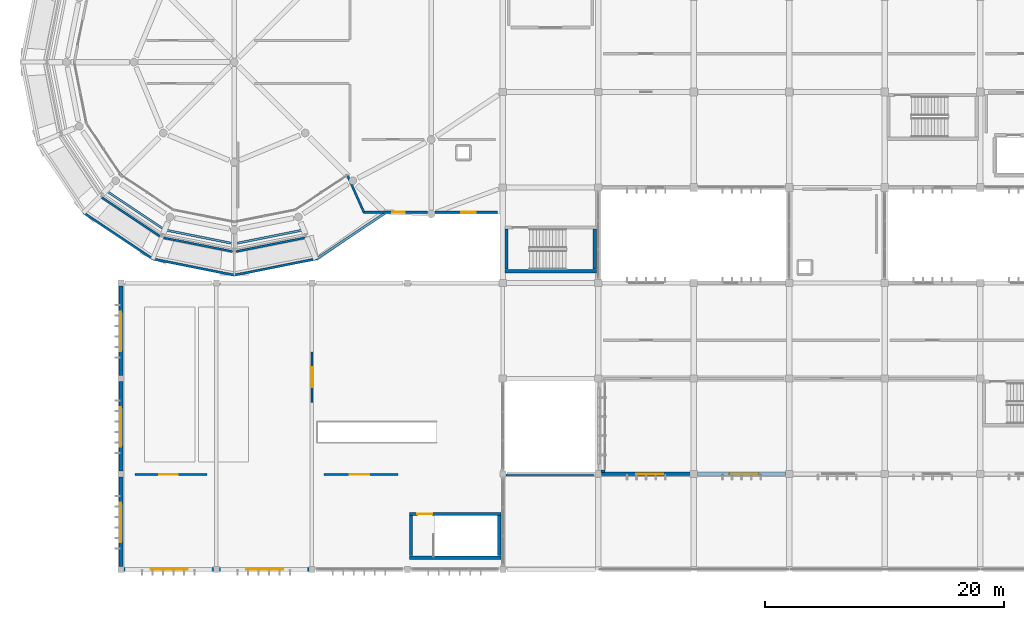
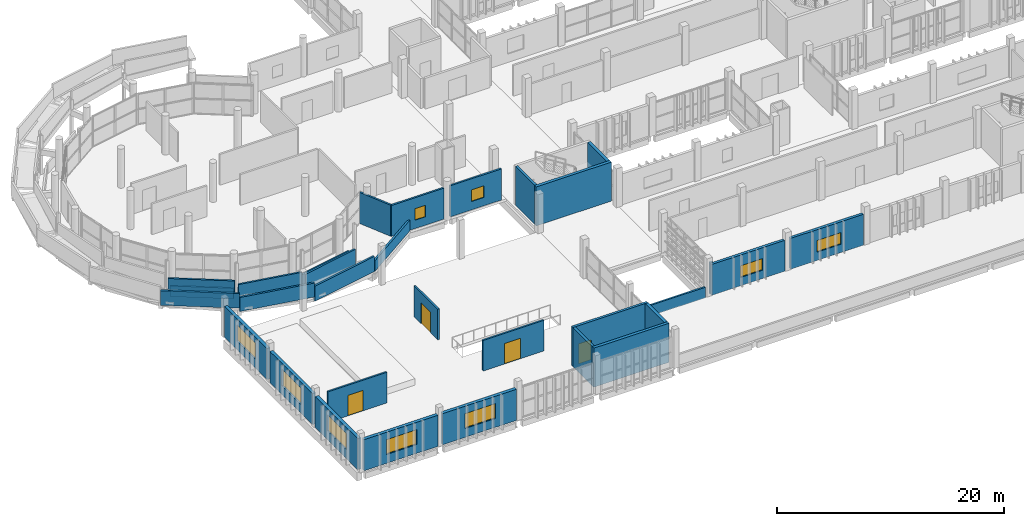
# One storey, part 108 of 137: 32 walls, 9 windows, 4 doors, 13 openings.
"""IFC4 building model written with IfcOpenShell, lengths in metres."""

from ifc_helpers import new_model, si_unit, direction, frame, frame_2d, origin, place, context, subcontext, project, spatial, rectangle, extrude, material, layer, layer_set, type_object, element, fill, save


model = new_model("IFC4")

# Units and contexts
model_context = context("Model", 3, precision=1e-05, world=origin(), true_north=direction((0.0, 1.0)))
body_context = subcontext(model_context, "Body", "Model", "MODEL_VIEW")
ifc_project = project(units=[si_unit("LENGTHUNIT", "METRE"), si_unit("AREAUNIT", "SQUARE_METRE"), si_unit("VOLUMEUNIT", "CUBIC_METRE"), si_unit("PLANEANGLEUNIT", "RADIAN"), si_unit("MASSUNIT", "GRAM", prefix="KILO")], contexts=[model_context])

# Site, building, storey
site_placement = place(None, origin())
site = spatial("IfcSite", under=ifc_project, at=site_placement, CompositionType="ELEMENT")
building_placement = place(site_placement, origin())
building = spatial("IfcBuilding", under=site, at=building_placement, Name="Jelvoka-Kovrelna Polytechnic", CompositionType="ELEMENT")
storey_placement = place(building_placement, frame((0.0, 0.0, 9.60009765625)))
storey = spatial("IfcBuildingStorey", under=building, at=storey_placement, Name="L03", CompositionType="ELEMENT", Elevation=9.60009765625)

# Wall
ifc_material_1 = material(Name="Concrete C40/50", Category="concrete")
ifc_layer_1 = layer(ifc_material_1, 0.25)
ifc_layer_set_1 = layer_set([ifc_layer_1], Name="Concrete C40/50")
wall_type_1 = type_object("IfcWallType", Name="Wall_Core_250", PredefinedType="SOLIDWALL", material=ifc_layer_set_1)
wall_1_placement = place(storey_placement, frame((48.324951171875, 25.14990234375, 0.0), z_axis=(0.0, 0.0, 1.0), x_axis=(0.0, 1.0, 0.0)))
element("IfcWall", 1, at=wall_1_placement, inside=storey, type_object=wall_type_1, Name="L03 interior wall 0028", PredefinedType="SOLIDWALL", context=body_context, shape_type="SweptSolid", body=[
    extrude(rectangle(XDim=3.360107421875, YDim=0.25, at=frame_2d((1.68017578125, 0.0))), origin(), (0.0, 0.0, 1.0), 4.199951171875),
])

# Wall, opening, door
wall_2_placement = place(storey_placement, frame((40.199951171875, 4.639892578125, 0.0), z_axis=(0.0, 0.0, 1.0), x_axis=(1.0, 0.0, 0.0)))
wall_2 = element("IfcWall", 2, at=wall_2_placement, inside=storey, type_object=wall_type_1, Name="L03 interior wall 0047", PredefinedType="SOLIDWALL", context=body_context, shape_type="SweptSolid", body=[
    extrude(rectangle(XDim=7.650146484375, YDim=0.25, at=frame_2d((3.8251953125, 0.0))), origin(), (0.0, 0.0, 1.0), 4.199951171875),
])
opening_1_placement = place(wall_2_placement, frame((0.64990234375, 0.0, 0.0)))
opening_1 = element("IfcOpeningElement", 3, at=opening_1_placement, cuts=wall_2, Name="Opening SD-L03-012", PredefinedType="OPENING", context=body_context, shape_type="SweptSolid", body=[
    extrude(rectangle(XDim=1.25, YDim=2.14990234375, at=frame_2d((0.625, 1.074951171875))), frame((0.0, 0.135009765625, 0.0), z_axis=(0.0, -1.0, 0.0), x_axis=(1.0, 0.0, 0.0)), (0.0, 0.0, 1.0), 0.27001953125),
])
ifc_material_2 = material(Name="Powder-coated steel fire door", Category="steel")
door_type_1 = type_object("IfcDoorType", Name="Door_Fire_FD02", OperationType="NOTDEFINED", PredefinedType="DOOR", material=ifc_material_2)
door_1_placement = place(opening_1_placement, origin())
door_1 = element("IfcDoor", 4, at=door_1_placement, inside=storey, type_object=door_type_1, Name="L03 interior door SD-L03-012", OperationType="SINGLE_SWING_LEFT", OverallHeight=2.14990234375, OverallWidth=1.25, PredefinedType="DOOR", context=body_context, shape_type="SweptSolid", body=[
    extrude(rectangle(XDim=1.25, YDim=2.14990234375, at=frame_2d((0.625, 1.074951171875))), frame((0.0, 0.02490234375, 0.0), z_axis=(0.0, -1.0, 0.0), x_axis=(1.0, 0.0, 0.0)), (0.0, 0.0, 1.0), 0.050048828125),
])
fill(opening_1, door_1)

# Wall
wall_3_placement = place(storey_placement, frame((40.324951171875, 1.14990234375, 0.0), z_axis=(0.0, 0.0, 1.0), x_axis=(0.0, 1.0, 0.0)))
element("IfcWall", 5, at=wall_3_placement, inside=storey, type_object=wall_type_1, Name="L03 interior wall 0048", PredefinedType="SOLIDWALL", context=body_context, shape_type="SweptSolid", body=[
    extrude(rectangle(XDim=3.360107421875, YDim=0.25, at=frame_2d((1.68017578125, 0.0))), origin(), (0.0, 0.0, 1.0), 4.199951171875),
])

# Wall, opening, door
ifc_material_3 = material(Name="Autoclaved aerated concrete blockwork", Category="masonry")
ifc_layer_2 = layer(ifc_material_3, 0.179931640625)
ifc_layer_set_2 = layer_set([ifc_layer_2], Name="Autoclaved aerated concrete blockwork")
wall_type_2 = type_object("IfcWallType", Name="Wall_Corridor_180", PredefinedType="PARTITIONING", material=ifc_layer_set_2)
wall_4_placement = place(storey_placement, frame((32.0, 14.0, 0.0), z_axis=(0.0, 0.0, 1.0), x_axis=(0.0, 1.0, 0.0)))
wall_4 = element("IfcWall", 6, at=wall_4_placement, inside=storey, type_object=wall_type_2, Name="L03 interior wall 1097", PredefinedType="PARTITIONING", context=body_context, shape_type="SweptSolid", body=[
    extrude(rectangle(XDim=4.199951171875, YDim=0.179931640625, at=frame_2d((2.10009765625, 0.0))), origin(), (0.0, 0.0, 1.0), 3.2998046875),
])
opening_2_placement = place(wall_4_placement, frame((1.27001953125, 0.0, 0.0)))
opening_2 = element("IfcOpeningElement", 7, at=opening_2_placement, cuts=wall_4, Name="Opening D-L03-319", PredefinedType="OPENING", context=body_context, shape_type="SweptSolid", body=[
    extrude(rectangle(XDim=1.659912109375, YDim=2.219970703125, at=frame_2d((0.830078125, 1.10986328125))), frame((0.0, 0.099853515625, 0.0), z_axis=(0.0, -1.0, 0.0), x_axis=(1.0, 0.0, 0.0)), (0.0, 0.0, 1.0), 0.199951171875),
])
ifc_material_4 = material(Name="Paired acoustic fire-resisting lecture door", Category="wood")
door_type_2 = type_object("IfcDoorType", Name="Door_Fire_FD30_08", OperationType="NOTDEFINED", PredefinedType="DOOR", material=ifc_material_4)
door_2_placement = place(opening_2_placement, origin())
door_2 = element("IfcDoor", 8, at=door_2_placement, inside=storey, type_object=door_type_2, Name="L03 interior door D-L03-319", OperationType="DOUBLE_DOOR_SINGLE_SWING", OverallHeight=2.219970703125, OverallWidth=1.659912109375, PredefinedType="DOOR", context=body_context, shape_type="SweptSolid", body=[
    extrude(rectangle(XDim=1.659912109375, YDim=2.219970703125, at=frame_2d((0.830078125, 1.10986328125))), frame((0.0, 0.02490234375, 0.0), z_axis=(0.0, -1.0, 0.0), x_axis=(1.0, 0.0, 0.0)), (0.0, 0.0, 1.0), 0.050048828125),
])
fill(opening_2, door_2)

wall_5_placement = place(storey_placement, frame((17.199951171875, 7.949951171875, 0.0), z_axis=(0.0, 0.0, 1.0), x_axis=(1.0, 0.0, 0.0)))
wall_5 = element("IfcWall", 9, at=wall_5_placement, inside=storey, type_object=wall_type_2, Name="L03 interior wall 1098", PredefinedType="PARTITIONING", context=body_context, shape_type="SweptSolid", body=[
    extrude(rectangle(XDim=6.0, YDim=0.179931640625, at=frame_2d((3.0, 0.0))), origin(), (0.0, 0.0, 1.0), 3.2998046875),
])
opening_3_placement = place(wall_5_placement, frame((2.02001953125, 0.0, 0.0)))
opening_3 = element("IfcOpeningElement", 10, at=opening_3_placement, cuts=wall_5, Name="Opening D-L03-320", PredefinedType="OPENING", context=body_context, shape_type="SweptSolid", body=[
    extrude(rectangle(XDim=1.56005859375, YDim=2.199951171875, at=frame_2d((0.780029296875, 1.10009765625))), frame((0.0, 0.099853515625, 0.0), z_axis=(0.0, -1.0, 0.0), x_axis=(1.0, 0.0, 0.0)), (0.0, 0.0, 1.0), 0.199951171875),
])
ifc_material_5 = material(Name="Paired studio double door", Category="wood")
door_type_3 = type_object("IfcDoorType", Name="Door_Int_D18", OperationType="NOTDEFINED", PredefinedType="DOOR", material=ifc_material_5)
door_3_placement = place(opening_3_placement, origin())
door_3 = element("IfcDoor", 11, at=door_3_placement, inside=storey, type_object=door_type_3, Name="L03 interior door D-L03-320", OperationType="DOUBLE_DOOR_SINGLE_SWING", OverallHeight=2.199951171875, OverallWidth=1.56005859375, PredefinedType="DOOR", context=body_context, shape_type="SweptSolid", body=[
    extrude(rectangle(XDim=1.56005859375, YDim=2.199951171875, at=frame_2d((0.780029296875, 1.10009765625))), frame((0.0, 0.02490234375, 0.0), z_axis=(0.0, -1.0, 0.0), x_axis=(1.0, 0.0, 0.0)), (0.0, 0.0, 1.0), 0.050048828125),
])
fill(opening_3, door_3)

wall_6_placement = place(storey_placement, frame((33.0, 7.949951171875, 0.0), z_axis=(0.0, 0.0, 1.0), x_axis=(1.0, 0.0, 0.0)))
wall_6 = element("IfcWall", 12, at=wall_6_placement, inside=storey, type_object=wall_type_2, Name="L03 interior wall 1099", PredefinedType="PARTITIONING", context=body_context, shape_type="SweptSolid", body=[
    extrude(rectangle(XDim=6.199951171875, YDim=0.179931640625, at=frame_2d((3.10009765625, 0.0))), origin(), (0.0, 0.0, 1.0), 3.2998046875),
])
opening_4_placement = place(wall_6_placement, frame((2.18994140625, 0.0, 0.0)))
opening_4 = element("IfcOpeningElement", 13, at=opening_4_placement, cuts=wall_6, Name="Opening D-L03-321", PredefinedType="OPENING", context=body_context, shape_type="SweptSolid", body=[
    extrude(rectangle(XDim=1.6201171875, YDim=2.199951171875, at=frame_2d((0.81005859375, 1.10009765625))), frame((0.0, 0.099853515625, 0.0), z_axis=(0.0, -1.0, 0.0), x_axis=(1.0, 0.0, 0.0)), (0.0, 0.0, 1.0), 0.199951171875),
])
ifc_material_6 = material(Name="Paired library reading hall door", Category="wood")
door_type_4 = type_object("IfcDoorType", Name="Door_Int_D19", OperationType="NOTDEFINED", PredefinedType="DOOR", material=ifc_material_6)
door_4_placement = place(opening_4_placement, origin())
door_4 = element("IfcDoor", 14, at=door_4_placement, inside=storey, type_object=door_type_4, Name="L03 interior door D-L03-321", OperationType="DOUBLE_DOOR_SINGLE_SWING", OverallHeight=2.199951171875, OverallWidth=1.6201171875, PredefinedType="DOOR", context=body_context, shape_type="SweptSolid", body=[
    extrude(rectangle(XDim=1.6201171875, YDim=2.199951171875, at=frame_2d((0.81005859375, 1.10009765625))), frame((0.0, 0.02490234375, 0.0), z_axis=(0.0, -1.0, 0.0), x_axis=(1.0, 0.0, 0.0)), (0.0, 0.0, 1.0), 0.050048828125),
])
fill(opening_4, door_4)

# Wall, opening, window
ifc_material_7 = material(Name="Precast concrete C40/50", Category="concrete")
ifc_layer_3 = layer(ifc_material_7, 0.324951171875)
ifc_layer_set_3 = layer_set([ifc_layer_3], Name="Precast concrete C40/50")
wall_type_3 = type_object("IfcWallType", Name="Wall_Ext_Acoustic_325", PredefinedType="STANDARD", material=ifc_layer_set_3)
wall_7_placement = place(storey_placement, frame((23.7529296875, 0.0, 0.0), z_axis=(0.0, 0.0, 1.0), x_axis=(-1.0, 0.0, 0.0)))
wall_7 = element("IfcWall", 15, at=wall_7_placement, inside=storey, type_object=wall_type_3, Name="L03 exterior wall 1141", PredefinedType="STANDARD", context=body_context, shape_type="SweptSolid", body=[
    extrude(rectangle(XDim=7.505859375, YDim=0.324951171875, at=frame_2d((3.7529296875, 0.0))), origin(), (0.0, 0.0, 1.0), 3.349853515625),
])
opening_5_placement = place(wall_7_placement, frame((2.133056640625, 0.0, 0.949951171875)))
opening_5 = element("IfcOpeningElement", 16, at=opening_5_placement, cuts=wall_7, Name="Opening W-L03-577", PredefinedType="OPENING", context=body_context, shape_type="SweptSolid", body=[
    extrude(rectangle(XDim=3.10009765625, YDim=1.60009765625, at=frame_2d((1.550048828125, 0.800048828125))), frame((0.0, 0.172607421875, 0.0), z_axis=(0.0, -1.0, 0.0), x_axis=(1.0, 0.0, 0.0)), (0.0, 0.0, 1.0), 0.344970703125),
])
ifc_material_8 = material(Name="Thermally broken anodised aluminium and low-e glazing", Category="aluminium")
window_type_1 = type_object("IfcWindowType", Name="Win_Casement_W61", PartitioningType="DOUBLE_PANEL_VERTICAL", PredefinedType="WINDOW", material=ifc_material_8)
window_1_placement = place(opening_5_placement, origin())
window_1 = element("IfcWindow", 17, at=window_1_placement, inside=storey, type_object=window_type_1, Name="L03 aluminium casement window W-L03-577", OverallHeight=1.60009765625, OverallWidth=3.10009765625, PartitioningType="DOUBLE_PANEL_VERTICAL", PredefinedType="WINDOW", context=body_context, shape_type="SweptSolid", body=[
    extrude(rectangle(XDim=3.10009765625, YDim=1.60009765625, at=frame_2d((1.550048828125, 0.800048828125))), frame((0.0, 0.030029296875, 0.0), z_axis=(0.0, -1.0, 0.0), x_axis=(1.0, 0.0, 0.0)), (0.0, 0.0, 1.0), 0.06005859375),
])
fill(opening_5, window_1)

wall_8_placement = place(storey_placement, frame((31.7529296875, 0.0, 0.0), z_axis=(0.0, 0.0, 1.0), x_axis=(-1.0, 0.0, 0.0)))
wall_8 = element("IfcWall", 18, at=wall_8_placement, inside=storey, type_object=wall_type_3, Name="L03 exterior wall 1142", PredefinedType="STANDARD", context=body_context, shape_type="SweptSolid", body=[
    extrude(rectangle(XDim=7.505859375, YDim=0.324951171875, at=frame_2d((3.7529296875, 0.0))), origin(), (0.0, 0.0, 1.0), 3.349853515625),
])
opening_6_placement = place(wall_8_placement, frame((2.133056640625, 0.0, 0.949951171875)))
opening_6 = element("IfcOpeningElement", 19, at=opening_6_placement, cuts=wall_8, Name="Opening W-L03-578", PredefinedType="OPENING", context=body_context, shape_type="SweptSolid", body=[
    extrude(rectangle(XDim=3.10009765625, YDim=1.60009765625, at=frame_2d((1.550048828125, 0.800048828125))), frame((0.0, 0.172607421875, 0.0), z_axis=(0.0, -1.0, 0.0), x_axis=(1.0, 0.0, 0.0)), (0.0, 0.0, 1.0), 0.344970703125),
])
window_2_placement = place(opening_6_placement, origin())
window_2 = element("IfcWindow", 20, at=window_2_placement, inside=storey, type_object=window_type_1, Name="L03 aluminium casement window W-L03-578", OverallHeight=1.60009765625, OverallWidth=3.10009765625, PartitioningType="DOUBLE_PANEL_VERTICAL", PredefinedType="WINDOW", context=body_context, shape_type="SweptSolid", body=[
    extrude(rectangle(XDim=3.10009765625, YDim=1.60009765625, at=frame_2d((1.550048828125, 0.800048828125))), frame((0.0, 0.030029296875, 0.0), z_axis=(0.0, -1.0, 0.0), x_axis=(1.0, 0.0, 0.0)), (0.0, 0.0, 1.0), 0.06005859375),
])
fill(opening_6, window_2)

wall_9_placement = place(storey_placement, frame((16.0, 0.2470703125, 0.0), z_axis=(0.0, 0.0, 1.0), x_axis=(0.0, 1.0, 0.0)))
wall_9 = element("IfcWall", 21, at=wall_9_placement, inside=storey, type_object=wall_type_3, Name="L03 exterior wall 1143", PredefinedType="STANDARD", context=body_context, shape_type="SweptSolid", body=[
    extrude(rectangle(XDim=7.505859375, YDim=0.324951171875, at=frame_2d((3.7529296875, 0.0))), origin(), (0.0, 0.0, 1.0), 3.349853515625),
])
opening_7_placement = place(wall_9_placement, frame((2.032958984375, 0.0, 0.949951171875)))
opening_7 = element("IfcOpeningElement", 22, at=opening_7_placement, cuts=wall_9, Name="Opening W-L03-579", PredefinedType="OPENING", context=body_context, shape_type="SweptSolid", body=[
    extrude(rectangle(XDim=3.300048828125, YDim=1.75, at=frame_2d((1.64990234375, 0.875))), frame((0.0, 0.172607421875, 0.0), z_axis=(0.0, -1.0, 0.0), x_axis=(1.0, 0.0, 0.0)), (0.0, 0.0, 1.0), 0.344970703125),
])
ifc_material_9 = material(Name="Thermally broken anodised aluminium and low-e glazing", Category="aluminium")
window_type_2 = type_object("IfcWindowType", Name="Win_Casement_W62", PartitioningType="DOUBLE_PANEL_VERTICAL", PredefinedType="WINDOW", material=ifc_material_9)
window_3_placement = place(opening_7_placement, origin())
window_3 = element("IfcWindow", 23, at=window_3_placement, inside=storey, type_object=window_type_2, Name="L03 aluminium casement window W-L03-579", OverallHeight=1.75, OverallWidth=3.300048828125, PartitioningType="DOUBLE_PANEL_VERTICAL", PredefinedType="WINDOW", context=body_context, shape_type="SweptSolid", body=[
    extrude(rectangle(XDim=3.300048828125, YDim=1.75, at=frame_2d((1.64990234375, 0.875))), frame((0.0, 0.030029296875, 0.0), z_axis=(0.0, -1.0, 0.0), x_axis=(1.0, 0.0, 0.0)), (0.0, 0.0, 1.0), 0.06005859375),
])
fill(opening_7, window_3)

wall_10_placement = place(storey_placement, frame((16.0, 8.2470703125, 0.0), z_axis=(0.0, 0.0, 1.0), x_axis=(0.0, 1.0, 0.0)))
wall_10 = element("IfcWall", 24, at=wall_10_placement, inside=storey, type_object=wall_type_3, Name="L03 exterior wall 1144", PredefinedType="STANDARD", context=body_context, shape_type="SweptSolid", body=[
    extrude(rectangle(XDim=7.505859375, YDim=0.324951171875, at=frame_2d((3.7529296875, 0.0))), origin(), (0.0, 0.0, 1.0), 3.349853515625),
])
opening_8_placement = place(wall_10_placement, frame((2.032958984375, 0.0, 0.949951171875)))
opening_8 = element("IfcOpeningElement", 25, at=opening_8_placement, cuts=wall_10, Name="Opening W-L03-580", PredefinedType="OPENING", context=body_context, shape_type="SweptSolid", body=[
    extrude(rectangle(XDim=3.300048828125, YDim=1.75, at=frame_2d((1.64990234375, 0.875))), frame((0.0, 0.172607421875, 0.0), z_axis=(0.0, -1.0, 0.0), x_axis=(1.0, 0.0, 0.0)), (0.0, 0.0, 1.0), 0.344970703125),
])
window_4_placement = place(opening_8_placement, origin())
window_4 = element("IfcWindow", 26, at=window_4_placement, inside=storey, type_object=window_type_2, Name="L03 aluminium casement window W-L03-580", OverallHeight=1.75, OverallWidth=3.300048828125, PartitioningType="DOUBLE_PANEL_VERTICAL", PredefinedType="WINDOW", context=body_context, shape_type="SweptSolid", body=[
    extrude(rectangle(XDim=3.300048828125, YDim=1.75, at=frame_2d((1.64990234375, 0.875))), frame((0.0, 0.030029296875, 0.0), z_axis=(0.0, -1.0, 0.0), x_axis=(1.0, 0.0, 0.0)), (0.0, 0.0, 1.0), 0.06005859375),
])
fill(opening_8, window_4)

wall_11_placement = place(storey_placement, frame((16.0, 16.2470703125, 0.0), z_axis=(0.0, 0.0, 1.0), x_axis=(0.0, 1.0, 0.0)))
wall_11 = element("IfcWall", 27, at=wall_11_placement, inside=storey, type_object=wall_type_3, Name="L03 exterior wall 1145", PredefinedType="STANDARD", context=body_context, shape_type="SweptSolid", body=[
    extrude(rectangle(XDim=7.505859375, YDim=0.324951171875, at=frame_2d((3.7529296875, 0.0))), origin(), (0.0, 0.0, 1.0), 3.349853515625),
])
opening_9_placement = place(wall_11_placement, frame((2.032958984375, 0.0, 0.949951171875)))
opening_9 = element("IfcOpeningElement", 28, at=opening_9_placement, cuts=wall_11, Name="Opening W-L03-581", PredefinedType="OPENING", context=body_context, shape_type="SweptSolid", body=[
    extrude(rectangle(XDim=3.300048828125, YDim=1.75, at=frame_2d((1.64990234375, 0.875))), frame((0.0, 0.172607421875, 0.0), z_axis=(0.0, -1.0, 0.0), x_axis=(1.0, 0.0, 0.0)), (0.0, 0.0, 1.0), 0.344970703125),
])
window_5_placement = place(opening_9_placement, origin())
window_5 = element("IfcWindow", 29, at=window_5_placement, inside=storey, type_object=window_type_2, Name="L03 aluminium casement window W-L03-581", OverallHeight=1.75, OverallWidth=3.300048828125, PartitioningType="DOUBLE_PANEL_VERTICAL", PredefinedType="WINDOW", context=body_context, shape_type="SweptSolid", body=[
    extrude(rectangle(XDim=3.300048828125, YDim=1.75, at=frame_2d((1.64990234375, 0.875))), frame((0.0, 0.030029296875, 0.0), z_axis=(0.0, -1.0, 0.0), x_axis=(1.0, 0.0, 0.0)), (0.0, 0.0, 1.0), 0.06005859375),
])
fill(opening_9, window_5)

# Wall
ifc_material_10 = material(Name="Precast concrete C40/50", Category="concrete")
ifc_layer_4 = layer(ifc_material_10, 0.18505859375)
ifc_layer_set_4 = layer_set([ifc_layer_4], Name="Precast concrete C40/50")
wall_type_4 = type_object("IfcWallType", Name="Wall_Ext_White_260", PredefinedType="STANDARD", material=ifc_layer_set_4)
wall_12_placement = place(storey_placement, frame((36.360107421875, 29.922119140625, 0.0), z_axis=(0.0, 0.0, 1.0), x_axis=(-0.40761125598, 0.913155553013, 0.0)))
element("IfcWall", 30, at=wall_12_placement, inside=storey, type_object=wall_type_4, Name="L03 exterior wall 0998", PredefinedType="STANDARD", context=body_context, shape_type="SweptSolid", body=[
    extrude(rectangle(XDim=3.39794921875, YDim=0.18505859375, at=frame_2d((1.698974609375, 0.0))), origin(), (0.0, 0.0, 1.0), 3.349853515625),
])

# Wall, opening, window
wall_13_placement = place(storey_placement, frame((41.677978515625, 29.922119140625, 0.0), z_axis=(0.0, 0.0, 1.0), x_axis=(-1.0, 0.0, 0.0)))
wall_13 = element("IfcWall", 31, at=wall_13_placement, inside=storey, type_object=wall_type_4, Name="L03 exterior wall 0999", PredefinedType="STANDARD", context=body_context, shape_type="SweptSolid", body=[
    extrude(rectangle(XDim=5.337890625, YDim=0.18505859375, at=frame_2d((2.6689453125, 0.0))), origin(), (0.0, 0.0, 1.0), 3.324951171875),
])
opening_10_placement = place(wall_13_placement, frame((1.8779296875, 0.0, 0.89990234375)))
opening_10 = element("IfcOpeningElement", 32, at=opening_10_placement, cuts=wall_13, Name="Opening W-L03-549", PredefinedType="OPENING", context=body_context, shape_type="SweptSolid", body=[
    extrude(rectangle(XDim=1.050048828125, YDim=1.25, at=frame_2d((0.52490234375, 0.625))), frame((0.0, 0.1025390625, 0.0), z_axis=(0.0, -1.0, 0.0), x_axis=(1.0, 0.0, 0.0)), (0.0, 0.0, 1.0), 0.205078125),
])
ifc_material_11 = material(Name="Thermally broken anodised aluminium and low-e glazing", Category="aluminium")
window_type_3 = type_object("IfcWindowType", Name="Win_Casement_W01", PartitioningType="SINGLE_PANEL", PredefinedType="WINDOW", material=ifc_material_11)
window_6_placement = place(opening_10_placement, origin())
window_6 = element("IfcWindow", 33, at=window_6_placement, inside=storey, type_object=window_type_3, Name="L03 aluminium casement window W-L03-549", OverallHeight=1.25, OverallWidth=1.050048828125, PartitioningType="SINGLE_PANEL", PredefinedType="WINDOW", context=body_context, shape_type="SweptSolid", body=[
    extrude(rectangle(XDim=1.050048828125, YDim=1.25, at=frame_2d((0.52490234375, 0.625))), frame((0.0, 0.030029296875, 0.0), z_axis=(0.0, -1.0, 0.0), x_axis=(1.0, 0.0, 0.0)), (0.0, 0.0, 1.0), 0.06005859375),
])
fill(opening_10, window_6)

wall_14_placement = place(storey_placement, frame((47.550048828125, 29.922119140625, 0.0), z_axis=(0.0, 0.0, 1.0), x_axis=(-1.0, 0.0, 0.0)))
wall_14 = element("IfcWall", 34, at=wall_14_placement, inside=storey, type_object=wall_type_4, Name="L03 exterior wall 1000", PredefinedType="STANDARD", context=body_context, shape_type="SweptSolid", body=[
    extrude(rectangle(XDim=5.22802734375, YDim=0.18505859375, at=frame_2d((2.614013671875, 0.0))), origin(), (0.0, 0.0, 1.0), 3.349853515625),
])
opening_11_placement = place(wall_14_placement, frame((1.800048828125, 0.0, 0.89990234375)))
opening_11 = element("IfcOpeningElement", 35, at=opening_11_placement, cuts=wall_14, Name="Opening W-L03-550", PredefinedType="OPENING", context=body_context, shape_type="SweptSolid", body=[
    extrude(rectangle(XDim=1.25, YDim=1.25, at=frame_2d((0.625, 0.625))), frame((0.0, 0.1025390625, 0.0), z_axis=(0.0, -1.0, 0.0), x_axis=(1.0, 0.0, 0.0)), (0.0, 0.0, 1.0), 0.205078125),
])
ifc_material_12 = material(Name="Thermally broken anodised aluminium and low-e glazing", Category="aluminium")
window_type_4 = type_object("IfcWindowType", Name="Win_Casement_W02", PartitioningType="SINGLE_PANEL", PredefinedType="WINDOW", material=ifc_material_12)
window_7_placement = place(opening_11_placement, origin())
window_7 = element("IfcWindow", 36, at=window_7_placement, inside=storey, type_object=window_type_4, Name="L03 aluminium casement window W-L03-550", OverallHeight=1.25, OverallWidth=1.25, PartitioningType="SINGLE_PANEL", PredefinedType="WINDOW", context=body_context, shape_type="SweptSolid", body=[
    extrude(rectangle(XDim=1.25, YDim=1.25, at=frame_2d((0.625, 0.625))), frame((0.0, 0.030029296875, 0.0), z_axis=(0.0, -1.0, 0.0), x_axis=(1.0, 0.0, 0.0)), (0.0, 0.0, 1.0), 0.06005859375),
])
fill(opening_11, window_7)

ifc_material_13 = material(Name="Precast concrete C40/50", Category="concrete")
ifc_layer_5 = layer(ifc_material_13, 0.280029296875)
ifc_layer_set_5 = layer_set([ifc_layer_5], Name="Precast concrete C40/50")
wall_type_5 = type_object("IfcWallType", Name="Wall_Ext_White_280", PredefinedType="STANDARD", material=ifc_layer_set_5)
wall_15_placement = place(storey_placement, frame((63.702880859375, 8.0, 0.0), z_axis=(0.0, 0.0, 1.0), x_axis=(-1.0, 0.0, 0.0)))
wall_15 = element("IfcWall", 37, at=wall_15_placement, inside=storey, type_object=wall_type_5, Name="L03 exterior wall 0282", PredefinedType="STANDARD", context=body_context, shape_type="SweptSolid", body=[
    extrude(rectangle(XDim=7.430908203125, YDim=0.280029296875, at=frame_2d((3.71533203125, 0.0))), origin(), (0.0, 0.0, 1.0), 3.324951171875),
])
opening_12_placement = place(wall_15_placement, frame((2.282958984375, 0.0, 0.89990234375)))
opening_12 = element("IfcOpeningElement", 38, at=opening_12_placement, cuts=wall_15, Name="Opening W-L03-044", PredefinedType="OPENING", context=body_context, shape_type="SweptSolid", body=[
    extrude(rectangle(XDim=2.25, YDim=1.25, at=frame_2d((1.125, 0.625))), frame((0.0, 0.150146484375, 0.0), z_axis=(0.0, -1.0, 0.0), x_axis=(1.0, 0.0, 0.0)), (0.0, 0.0, 1.0), 0.300048828125),
])
ifc_material_14 = material(Name="Thermally broken anodised aluminium and low-e glazing", Category="aluminium")
window_type_5 = type_object("IfcWindowType", Name="Win_Casement_W07", PartitioningType="DOUBLE_PANEL_VERTICAL", PredefinedType="WINDOW", material=ifc_material_14)
window_8_placement = place(opening_12_placement, origin())
window_8 = element("IfcWindow", 39, at=window_8_placement, inside=storey, type_object=window_type_5, Name="L03 aluminium casement window W-L03-044", OverallHeight=1.25, OverallWidth=2.25, PartitioningType="DOUBLE_PANEL_VERTICAL", PredefinedType="WINDOW", context=body_context, shape_type="SweptSolid", body=[
    extrude(rectangle(XDim=2.25, YDim=1.25, at=frame_2d((1.125, 0.625))), frame((0.0, 0.030029296875, 0.0), z_axis=(0.0, -1.0, 0.0), x_axis=(1.0, 0.0, 0.0)), (0.0, 0.0, 1.0), 0.06005859375),
])
fill(opening_12, window_8)

wall_16_placement = place(storey_placement, frame((71.702880859375, 8.0, 0.0), z_axis=(0.0, 0.0, 1.0), x_axis=(-1.0, 0.0, 0.0)))
wall_16 = element("IfcWall", 40, at=wall_16_placement, inside=storey, type_object=wall_type_5, Name="L03 exterior wall 0284", PredefinedType="STANDARD", context=body_context, shape_type="SweptSolid", body=[
    extrude(rectangle(XDim=7.40576171875, YDim=0.280029296875, at=frame_2d((3.702880859375, 0.0))), origin(), (0.0, 0.0, 1.0), 3.324951171875),
])
opening_13_placement = place(wall_16_placement, frame((2.282958984375, 0.0, 0.89990234375)))
opening_13 = element("IfcOpeningElement", 41, at=opening_13_placement, cuts=wall_16, Name="Opening W-L03-046", PredefinedType="OPENING", context=body_context, shape_type="SweptSolid", body=[
    extrude(rectangle(XDim=2.449951171875, YDim=1.25, at=frame_2d((1.22509765625, 0.625))), frame((0.0, 0.150146484375, 0.0), z_axis=(0.0, -1.0, 0.0), x_axis=(1.0, 0.0, 0.0)), (0.0, 0.0, 1.0), 0.300048828125),
])
ifc_material_15 = material(Name="Thermally broken anodised aluminium and low-e glazing", Category="aluminium")
window_type_6 = type_object("IfcWindowType", Name="Win_Casement_W08", PartitioningType="DOUBLE_PANEL_VERTICAL", PredefinedType="WINDOW", material=ifc_material_15)
window_9_placement = place(opening_13_placement, origin())
window_9 = element("IfcWindow", 42, at=window_9_placement, inside=storey, type_object=window_type_6, Name="L03 aluminium casement window W-L03-046", OverallHeight=1.25, OverallWidth=2.449951171875, PartitioningType="DOUBLE_PANEL_VERTICAL", PredefinedType="WINDOW", context=body_context, shape_type="SweptSolid", body=[
    extrude(rectangle(XDim=2.449951171875, YDim=1.25, at=frame_2d((1.22509765625, 0.625))), frame((0.0, 0.030029296875, 0.0), z_axis=(0.0, -1.0, 0.0), x_axis=(1.0, 0.0, 0.0)), (0.0, 0.0, 1.0), 0.06005859375),
])
fill(opening_13, window_9)

# Walls
ifc_material_16 = material(Name="Precast concrete C40/50", Category="concrete")
ifc_layer_6 = layer(ifc_material_16, 0.179931640625)
ifc_layer_set_6 = layer_set([ifc_layer_6], Name="Precast concrete C40/50")
wall_type_6 = type_object("IfcWallType", Name="Wall_Parapet_180", PredefinedType="PARAPET", material=ifc_layer_set_6)
for number, where, z_axis, x_axis, name in (
    (43, (14.870849609375, 31.64892578125, 0.0), (0.0, 0.0, 1.0), (0.831481620435, -0.555552261158, 0.0), "L03 exterior wall 0991"),
    (44, (19.83251953125, 28.407470703125, 0.0), (0.0, 0.0, 1.0), (0.980782378932, -0.19510490813, 0.0), "L03 exterior wall 0992"),
    (45, (25.656982421875, 27.311279296875, 0.0), (0.0, 0.0, 1.0), (0.980782378932, 0.19510490813, 0.0), "L03 exterior wall 0993"),
):
    element("IfcWall", number, at=place(storey_placement, frame(where, z_axis=z_axis, x_axis=x_axis)), inside=storey, type_object=wall_type_6, Name=name, PredefinedType="PARAPET", context=body_context, shape_type="SweptSolid", body=[
        extrude(rectangle(XDim=5.618408203125, YDim=0.179931640625, at=frame_2d((2.80908203125, 0.0))), origin(), (0.0, 0.0, 1.0), 1.14990234375),
    ])
wall_17_placement = place(storey_placement, frame((31.427734375, 27.779052734375, 0.010009765625), z_axis=(0.0, 0.0, 1.0), x_axis=(-0.980782832021, -0.195102630459, 0.0)))
element("IfcWall", 46, at=wall_17_placement, inside=storey, type_object=wall_type_6, Name="L03 exterior wall 1080", PredefinedType="PARAPET", context=body_context, shape_type="SweptSolid", body=[
    extrude(rectangle(XDim=5.8837890625, YDim=0.179931640625, at=frame_2d((2.94189453125, 0.0))), origin(), (0.0, 0.0, 1.0), 1.619873046875),
])
wall_18_placement = place(storey_placement, frame((25.343017578125, 26.631103515625, 0.489990234375), z_axis=(0.0, 0.0, 1.0), x_axis=(-0.980782832021, 0.195102630459, 0.0)))
element("IfcWall", 47, at=wall_18_placement, inside=storey, type_object=wall_type_6, Name="L03 exterior wall 1082", PredefinedType="PARAPET", context=body_context, shape_type="SweptSolid", body=[
    extrude(rectangle(XDim=5.8837890625, YDim=0.179931640625, at=frame_2d((2.94189453125, 0.0))), origin(), (0.0, 0.0, 1.0), 1.5),
])
wall_19_placement = place(storey_placement, frame((19.2822265625, 27.899169921875, 0.849853515625), z_axis=(0.0, 0.0, 1.0), x_axis=(-0.831462553548, 0.555580797046, 0.0)))
element("IfcWall", 48, at=wall_19_placement, inside=storey, type_object=wall_type_6, Name="L03 exterior wall 1084", PredefinedType="PARAPET", context=body_context, shape_type="SweptSolid", body=[
    extrude(rectangle(XDim=5.884033203125, YDim=0.179931640625, at=frame_2d((2.94189453125, 0.0))), origin(), (0.0, 0.0, 1.0), 1.56005859375),
])
wall_20_placement = place(storey_placement, frame((48.25, 7.89990234375, 0.0), z_axis=(0.0, 0.0, 1.0), x_axis=(1.0, 0.0, 0.0)))
element("IfcWall", 49, at=wall_20_placement, inside=storey, type_object=wall_type_6, Name="L03 exterior wall 1223", PredefinedType="PARAPET", context=body_context, shape_type="SweptSolid", body=[
    extrude(rectangle(XDim=7.35009765625, YDim=0.179931640625, at=frame_2d((3.675048828125, 0.0))), origin(), (0.0, 0.0, 1.0), 1.14990234375),
])
ifc_material_17 = material(Name="Precast concrete C40/50", Category="concrete")
ifc_layer_7 = layer(ifc_material_17, 0.199951171875)
ifc_layer_set_7 = layer_set([ifc_layer_7], Name="Precast concrete C40/50")
wall_type_7 = type_object("IfcWallType", Name="Wall_Parapet_200", PredefinedType="PARAPET", material=ifc_layer_set_7)
wall_21_placement = place(storey_placement, frame((56.239990234375, 8.219970703125, 0.0), z_axis=(0.0, 0.0, 1.0), x_axis=(1.0, 0.0, 0.0)))
element("IfcWall", 50, at=wall_21_placement, inside=storey, type_object=wall_type_7, Name="L03 exterior wall 0306", PredefinedType="PARAPET", context=body_context, shape_type="SweptSolid", body=[
    extrude(rectangle(XDim=0.320068359375, YDim=0.199951171875, at=frame_2d((0.16015625, 0.0))), origin(), (0.0, 0.0, 1.0), 3.349853515625),
])
wall_22_placement = place(storey_placement, frame((32.34228515625, 25.98095703125, 0.0), z_axis=(0.0, 0.0, 1.0), x_axis=(0.831468390799, 0.555572061125, 0.0)))
element("IfcWall", 51, at=wall_22_placement, inside=storey, type_object=wall_type_7, Name="L03 exterior wall 0983", PredefinedType="PARAPET", context=body_context, shape_type="SweptSolid", body=[
    extrude(rectangle(XDim=6.9765625, YDim=0.199951171875, at=frame_2d((3.48828125, 0.0))), origin(), (0.0, 0.0, 1.0), 1.14990234375),
])
wall_23_placement = place(storey_placement, frame((32.330810546875, 26.0087890625, 0.010009765625), z_axis=(0.0, 0.0, 1.0), x_axis=(-0.9807810487, -0.19511159502, 0.0)))
element("IfcWall", 52, at=wall_23_placement, inside=storey, type_object=wall_type_7, Name="L03 exterior wall 1079", PredefinedType="PARAPET", context=body_context, shape_type="SweptSolid", body=[
    extrude(rectangle(XDim=6.964599609375, YDim=0.199951171875, at=frame_2d((3.482421875, 0.0))), origin(), (0.0, 0.0, 1.0), 1.619873046875),
])
wall_24_placement = place(storey_placement, frame((25.5, 24.64990234375, 0.489990234375), z_axis=(0.0, 0.0, 1.0), x_axis=(-0.9807810487, 0.19511159502, 0.0)))
element("IfcWall", 53, at=wall_24_placement, inside=storey, type_object=wall_type_7, Name="L03 exterior wall 1081", PredefinedType="PARAPET", context=body_context, shape_type="SweptSolid", body=[
    extrude(rectangle(XDim=6.964599609375, YDim=0.199951171875, at=frame_2d((3.482421875, 0.0))), origin(), (0.0, 0.0, 1.0), 1.5),
])
wall_25_placement = place(storey_placement, frame((18.669189453125, 26.0087890625, 0.849853515625), z_axis=(0.0, 0.0, 1.0), x_axis=(-0.831472806966, 0.555565451838, 0.0)))
element("IfcWall", 54, at=wall_25_placement, inside=storey, type_object=wall_type_7, Name="L03 exterior wall 1083", PredefinedType="PARAPET", context=body_context, shape_type="SweptSolid", body=[
    extrude(rectangle(XDim=6.96484375, YDim=0.199951171875, at=frame_2d((3.482421875, 0.0))), origin(), (0.0, 0.0, 1.0), 1.56005859375),
])
ifc_material_18 = material(Name="Concrete C40/50", Category="concrete")
ifc_layer_8 = layer(ifc_material_18, 0.300048828125)
ifc_layer_set_8 = layer_set([ifc_layer_8], Name="Concrete C40/50")
wall_type_8 = type_object("IfcWallType", Name="Wall_Shear_300", PredefinedType="SHEAR", material=ifc_layer_set_8)
wall_26_placement = place(storey_placement, frame((48.199951171875, 24.989990234375, 0.0), z_axis=(0.0, 0.0, 1.0), x_axis=(1.0, 0.0, 0.0)))
element("IfcWall", 55, at=wall_26_placement, inside=storey, type_object=wall_type_8, Name="L03 interior wall 0025", PredefinedType="SHEAR", context=body_context, shape_type="SweptSolid", body=[
    extrude(rectangle(XDim=7.650146484375, YDim=0.300048828125, at=frame_2d((3.8251953125, 0.0))), origin(), (0.0, 0.0, 1.0), 4.199951171875),
])
wall_27_placement = place(storey_placement, frame((55.7099609375, 25.14990234375, 0.0), z_axis=(0.0, 0.0, 1.0), x_axis=(0.0, 1.0, 0.0)))
element("IfcWall", 56, at=wall_27_placement, inside=storey, type_object=wall_type_8, Name="L03 interior wall 0026", PredefinedType="SHEAR", context=body_context, shape_type="SweptSolid", body=[
    extrude(rectangle(XDim=3.360107421875, YDim=0.300048828125, at=frame_2d((1.68017578125, 0.0))), origin(), (0.0, 0.0, 1.0), 4.199951171875),
])
wall_28_placement = place(storey_placement, frame((40.199951171875, 0.989990234375, 0.0), z_axis=(0.0, 0.0, 1.0), x_axis=(1.0, 0.0, 0.0)))
element("IfcWall", 57, at=wall_28_placement, inside=storey, type_object=wall_type_8, Name="L03 interior wall 0045", PredefinedType="SHEAR", context=body_context, shape_type="SweptSolid", body=[
    extrude(rectangle(XDim=7.650146484375, YDim=0.300048828125, at=frame_2d((3.8251953125, 0.0))), origin(), (0.0, 0.0, 1.0), 4.199951171875),
])
wall_29_placement = place(storey_placement, frame((47.7099609375, 1.14990234375, 0.0), z_axis=(0.0, 0.0, 1.0), x_axis=(0.0, 1.0, 0.0)))
element("IfcWall", 58, at=wall_29_placement, inside=storey, type_object=wall_type_8, Name="L03 interior wall 0046", PredefinedType="SHEAR", context=body_context, shape_type="SweptSolid", body=[
    extrude(rectangle(XDim=3.360107421875, YDim=0.300048828125, at=frame_2d((1.68017578125, 0.0))), origin(), (0.0, 0.0, 1.0), 4.199951171875),
])

save(model, "model.ifc")
